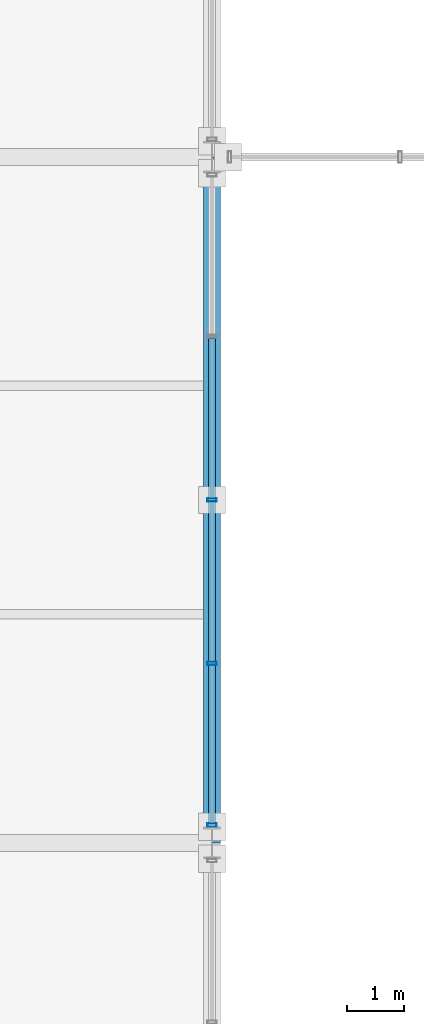
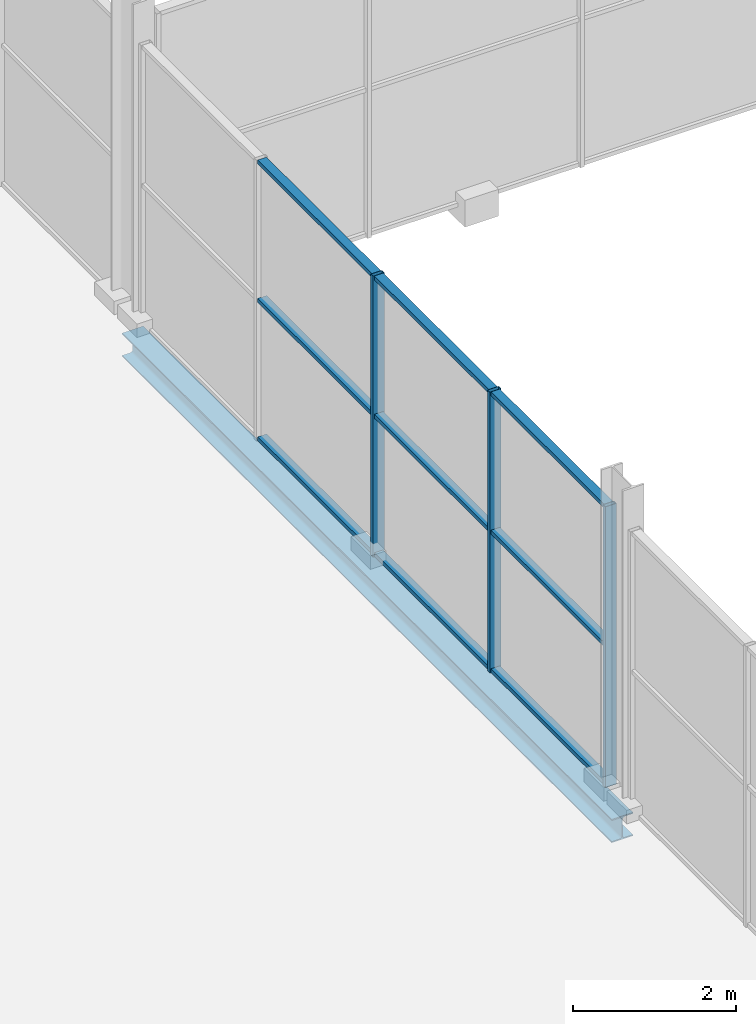
# One storey, part 75 of 159: 12 members, 1 beam, 1 element without a shape of its own.
"""IFC4 building model written with IfcOpenShell, lengths in metres."""

from ifc_helpers import new_model, si_unit, direction, frame, origin, origin_2d, place, context, subcontext, project, spatial, hollow_rectangle, i_section, extrude, material, material_profile, profile_set, type_object, element, aggregate, save


model = new_model("IFC4")

# Units and contexts
model_context = context("Model", 3, precision=1e-05, world=origin(), true_north=direction((0.0, 1.0)))
body_context = subcontext(model_context, "Body", "Model", "MODEL_VIEW")
ifc_project = project(units=[si_unit("LENGTHUNIT", "METRE"), si_unit("AREAUNIT", "SQUARE_METRE"), si_unit("VOLUMEUNIT", "CUBIC_METRE"), si_unit("PLANEANGLEUNIT", "RADIAN"), si_unit("MASSUNIT", "GRAM", prefix="KILO")], contexts=[model_context])

# Site, building, storey
site_placement = place(None, origin())
site = spatial("IfcSite", under=ifc_project, at=site_placement, CompositionType="ELEMENT")
building_placement = place(site_placement, origin())
building = spatial("IfcBuilding", under=site, at=building_placement, Name="Merenkruunu Market Hall", CompositionType="ELEMENT")
storey_placement = place(building_placement, frame((0.0, 0.0, 5.39990234375)))
storey = spatial("IfcBuildingStorey", under=building, at=storey_placement, Name="L01", CompositionType="ELEMENT", Elevation=5.39990234375)

# Curtain wall, members
ifc_material_1 = material(Name="Powder-coated aluminium", Category="aluminium")
curtain_wall_type = type_object("IfcCurtainWallType", Name="Glazed Curtain Wall CW15", PredefinedType="USERDEFINED", material=ifc_material_1)
curtain_wall_placement = place(storey_placement, origin())
curtain_wall = element("IfcCurtainWall", 1, at=curtain_wall_placement, inside=storey, type_object=curtain_wall_type, Name="CW-L01-CWM01-136", ObjectType="GLAZED_FACADE", PredefinedType="USERDEFINED")
ifc_material_profile_1 = material_profile(ifc_material_1, hollow_rectangle(XDim=0.06005859375, YDim=0.159912109375, WallThickness=0.00390625, at=origin_2d()), Name="ALU 60x160x4")
ifc_profile_set_1 = profile_set([ifc_material_profile_1], Name="Powder-coated aluminium")
member_type_1 = type_object("IfcMemberType", Name="Curtain Wall Mullion CWM01", PredefinedType="MULLION", material=ifc_profile_set_1)
member_1_placement = place(storey_placement, frame((57.60009765625, 87.909912109375, 0.0), z_axis=(0.0, 0.0, 1.0), x_axis=(0.0, 1.0, 0.0)))
member_1 = element("IfcMember", 2, at=member_1_placement, type_object=member_type_1, Name="CW15 mullion 1", PredefinedType="MULLION", context=body_context, shape_type="SweptSolid", body=[
    extrude(hollow_rectangle(XDim=0.06005859375, YDim=0.159912109375, WallThickness=0.00390625, at=origin_2d()), origin(), (0.0, 0.0, 1.0), 4.2001953125),
])
member_2_placement = place(storey_placement, frame((57.60009765625, 90.739990234375, 0.0), z_axis=(0.0, 0.0, 1.0), x_axis=(0.0, 1.0, 0.0)))
member_2 = element("IfcMember", 3, at=member_2_placement, type_object=member_type_1, Name="CW15 mullion 2", PredefinedType="MULLION", context=body_context, shape_type="SweptSolid", body=[
    extrude(hollow_rectangle(XDim=0.06005859375, YDim=0.159912109375, WallThickness=0.00390625, at=origin_2d()), origin(), (0.0, 0.0, 1.0), 4.2001953125),
])
member_3_placement = place(storey_placement, frame((57.60009765625, 93.60009765625, 0.0), z_axis=(0.0, 0.0, 1.0), x_axis=(0.0, 1.0, 0.0)))
member_3 = element("IfcMember", 4, at=member_3_placement, type_object=member_type_1, Name="CW15 mullion 3", PredefinedType="MULLION", context=body_context, shape_type="SweptSolid", body=[
    extrude(hollow_rectangle(XDim=0.06005859375, YDim=0.159912109375, WallThickness=0.00390625, at=origin_2d()), origin(), (0.0, 0.0, 1.0), 4.2001953125),
])
ifc_material_profile_2 = material_profile(ifc_material_1, hollow_rectangle(XDim=0.06005859375, YDim=0.125, WallThickness=0.00390625, at=origin_2d()), Name="ALU 60x125x4")
ifc_profile_set_2 = profile_set([ifc_material_profile_2], Name="Powder-coated aluminium")
member_type_2 = type_object("IfcMemberType", Name="Curtain Wall Transom CWT01", PredefinedType="USERDEFINED", material=ifc_profile_set_2)
member_4_placement = place(storey_placement, frame((57.60009765625, 87.93994140625, 0.030029296875), z_axis=(0.0, 1.0, 0.0), x_axis=(0.0, 0.0, 1.0)))
member_4 = element("IfcMember", 5, at=member_4_placement, type_object=member_type_2, Name="CW15 transom 1.1", ObjectType="TRANSOM", PredefinedType="USERDEFINED", context=body_context, shape_type="SweptSolid", body=[
    extrude(hollow_rectangle(XDim=0.06005859375, YDim=0.125, WallThickness=0.00390625, at=origin_2d()), origin(), (0.0, 0.0, 1.0), 2.77001953125),
])
member_5_placement = place(storey_placement, frame((57.60009765625, 87.93994140625, 2.10009765625), z_axis=(0.0, 1.0, 0.0), x_axis=(0.0, 0.0, 1.0)))
member_5 = element("IfcMember", 6, at=member_5_placement, type_object=member_type_2, Name="CW15 transom 1.2", ObjectType="TRANSOM", PredefinedType="USERDEFINED", context=body_context, shape_type="SweptSolid", body=[
    extrude(hollow_rectangle(XDim=0.06005859375, YDim=0.125, WallThickness=0.00390625, at=origin_2d()), origin(), (0.0, 0.0, 1.0), 2.77001953125),
])
member_6_placement = place(storey_placement, frame((57.60009765625, 87.93994140625, 4.170166015625), z_axis=(0.0, 1.0, 0.0), x_axis=(0.0, 0.0, 1.0)))
member_6 = element("IfcMember", 7, at=member_6_placement, type_object=member_type_2, Name="CW15 transom 1.3", ObjectType="TRANSOM", PredefinedType="USERDEFINED", context=body_context, shape_type="SweptSolid", body=[
    extrude(hollow_rectangle(XDim=0.06005859375, YDim=0.125, WallThickness=0.00390625, at=origin_2d()), origin(), (0.0, 0.0, 1.0), 2.77001953125),
])
member_7_placement = place(storey_placement, frame((57.60009765625, 90.77001953125, 0.030029296875), z_axis=(0.0, 1.0, 0.0), x_axis=(0.0, 0.0, 1.0)))
member_7 = element("IfcMember", 8, at=member_7_placement, type_object=member_type_2, Name="CW15 transom 2.1", ObjectType="TRANSOM", PredefinedType="USERDEFINED", context=body_context, shape_type="SweptSolid", body=[
    extrude(hollow_rectangle(XDim=0.06005859375, YDim=0.125, WallThickness=0.00390625, at=origin_2d()), origin(), (0.0, 0.0, 1.0), 2.800048828125),
])
member_8_placement = place(storey_placement, frame((57.60009765625, 90.77001953125, 2.10009765625), z_axis=(0.0, 1.0, 0.0), x_axis=(0.0, 0.0, 1.0)))
member_8 = element("IfcMember", 9, at=member_8_placement, type_object=member_type_2, Name="CW15 transom 2.2", ObjectType="TRANSOM", PredefinedType="USERDEFINED", context=body_context, shape_type="SweptSolid", body=[
    extrude(hollow_rectangle(XDim=0.06005859375, YDim=0.125, WallThickness=0.00390625, at=origin_2d()), origin(), (0.0, 0.0, 1.0), 2.800048828125),
])
member_9_placement = place(storey_placement, frame((57.60009765625, 90.77001953125, 4.170166015625), z_axis=(0.0, 1.0, 0.0), x_axis=(0.0, 0.0, 1.0)))
member_9 = element("IfcMember", 10, at=member_9_placement, type_object=member_type_2, Name="CW15 transom 2.3", ObjectType="TRANSOM", PredefinedType="USERDEFINED", context=body_context, shape_type="SweptSolid", body=[
    extrude(hollow_rectangle(XDim=0.06005859375, YDim=0.125, WallThickness=0.00390625, at=origin_2d()), origin(), (0.0, 0.0, 1.0), 2.800048828125),
])
member_10_placement = place(storey_placement, frame((57.60009765625, 93.6298828125, 0.030029296875), z_axis=(0.0, 1.0, 0.0), x_axis=(0.0, 0.0, 1.0)))
member_10 = element("IfcMember", 11, at=member_10_placement, type_object=member_type_2, Name="CW15 transom 3.1", ObjectType="TRANSOM", PredefinedType="USERDEFINED", context=body_context, shape_type="SweptSolid", body=[
    extrude(hollow_rectangle(XDim=0.06005859375, YDim=0.125, WallThickness=0.00390625, at=origin_2d()), origin(), (0.0, 0.0, 1.0), 2.800048828125),
])
member_11_placement = place(storey_placement, frame((57.60009765625, 93.6298828125, 2.10009765625), z_axis=(0.0, 1.0, 0.0), x_axis=(0.0, 0.0, 1.0)))
member_11 = element("IfcMember", 12, at=member_11_placement, type_object=member_type_2, Name="CW15 transom 3.2", ObjectType="TRANSOM", PredefinedType="USERDEFINED", context=body_context, shape_type="SweptSolid", body=[
    extrude(hollow_rectangle(XDim=0.06005859375, YDim=0.125, WallThickness=0.00390625, at=origin_2d()), origin(), (0.0, 0.0, 1.0), 2.800048828125),
])
member_12_placement = place(storey_placement, frame((57.60009765625, 93.6298828125, 4.170166015625), z_axis=(0.0, 1.0, 0.0), x_axis=(0.0, 0.0, 1.0)))
member_12 = element("IfcMember", 13, at=member_12_placement, type_object=member_type_2, Name="CW15 transom 3.3", ObjectType="TRANSOM", PredefinedType="USERDEFINED", context=body_context, shape_type="SweptSolid", body=[
    extrude(hollow_rectangle(XDim=0.06005859375, YDim=0.125, WallThickness=0.00390625, at=origin_2d()), origin(), (0.0, 0.0, 1.0), 2.800048828125),
])
aggregate(curtain_wall, [member_1, member_2, member_3, member_4, member_5, member_6, member_7, member_8, member_9, member_10, member_11, member_12])

# Beam
ifc_material_2 = material(Name="Steel S355J2", Category="steel")
ifc_material_profile_3 = material_profile(ifc_material_2, i_section(OverallWidth=0.300048828125, OverallDepth=0.35009765625, WebThickness=0.010009765625, FlangeThickness=0.017578125, FilletRadius=0.027099609375, at=origin_2d()), Name="HEA 360")
ifc_profile_set_3 = profile_set([ifc_material_profile_3], Name="Steel S355J2")
beam_type = type_object("IfcBeamType", Name="Primary Floor Girder B08", PredefinedType="BEAM", material=ifc_profile_set_3)
beam_placement = place(storey_placement, frame((57.60009765625, 87.60009765625, -0.454833984375), z_axis=(0.0, 1.0, 0.0), x_axis=(-1.0, 0.0, 0.0)))
element("IfcBeam", 14, at=beam_placement, inside=storey, type_object=beam_type, Name="BM-L01-B08-0587", PredefinedType="BEAM", context=body_context, shape_type="SweptSolid", body=[
    extrude(i_section(OverallWidth=0.300048828125, OverallDepth=0.35009765625, WebThickness=0.010009765625, FlangeThickness=0.017578125, FilletRadius=0.027099609375, at=origin_2d()), origin(), (0.0, 0.0, 1.0), 12.0),
])

save(model, "model.ifc")
